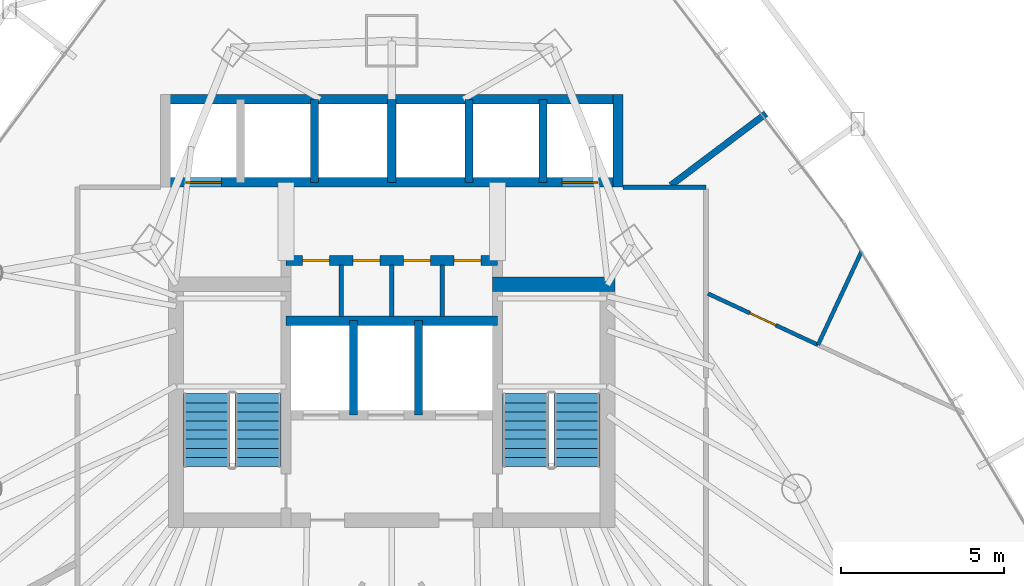
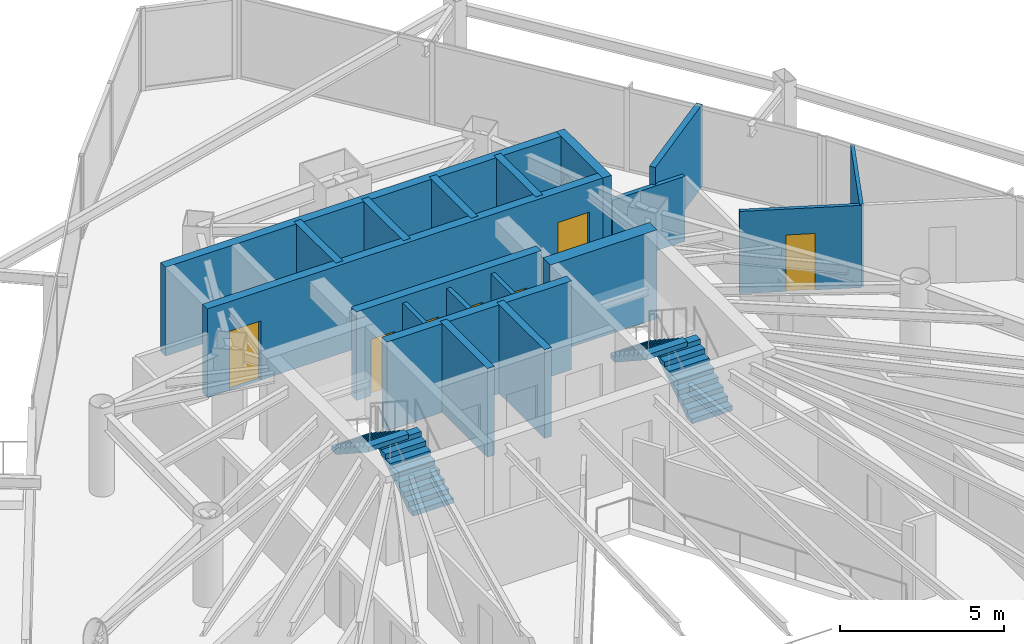
# One storey, part 34 of 38: 19 walls, 7 doors, 4 stair flights, 7 openings, 2 elements without a shape of their own.
"""IFC4 building model written with IfcOpenShell, lengths in metres."""

from ifc_helpers import new_model, si_unit, direction, frame, frame_2d, origin, place, context, subcontext, project, spatial, polyline, rectangle, outline, extrude, material, layer, layer_set, type_object, element, fill, aggregate, save


model = new_model("IFC4")

# Units and contexts
model_context = context("Model", 3, precision=1e-05, world=origin(), true_north=direction((0.0, 1.0)))
body_context = subcontext(model_context, "Body", "Model", "MODEL_VIEW")
ifc_project = project(units=[si_unit("LENGTHUNIT", "METRE"), si_unit("AREAUNIT", "SQUARE_METRE"), si_unit("VOLUMEUNIT", "CUBIC_METRE"), si_unit("PLANEANGLEUNIT", "RADIAN"), si_unit("MASSUNIT", "GRAM", prefix="KILO")], contexts=[model_context])

# Site, building, storey
site_placement = place(None, origin())
site = spatial("IfcSite", under=ifc_project, at=site_placement, CompositionType="ELEMENT")
building_placement = place(site_placement, origin())
building = spatial("IfcBuilding", under=site, at=building_placement, Name="Orvanel Arch Residences", CompositionType="ELEMENT")
storey_placement = place(building_placement, frame((0.0, 0.0, 46.699951171875)))
storey = spatial("IfcBuildingStorey", under=building, at=storey_placement, Name="L12", CompositionType="ELEMENT", Elevation=46.699951171875)

# Walls
ifc_material_1 = material(Name="Concrete N50 (50 MPa)", Category="concrete")
ifc_layer_1 = layer(ifc_material_1, 0.25)
ifc_layer_set_1 = layer_set([ifc_layer_1], Name="Concrete N50 (50 MPa)")
wall_type_1 = type_object("IfcWallType", Name="SW-CORE-250", PredefinedType="SHEAR", material=ifc_layer_set_1)
for number, where, z_axis, x_axis, name in (
    (1, (31.824951171875, 29.89990234375, 0.0), (0.0, 0.0, 1.0), (0.0, 1.0, 0.0), "L12 Emergency Lift Inter-Shaft Wall F12"),
    (2, (33.824951171875, 29.89990234375, 0.0), (0.0, 0.0, 1.0), (0.0, 1.0, 0.0), "L12 Emergency Lift Inter-Shaft Wall F2G"),
):
    element("IfcWall", number, at=place(storey_placement, frame(where, z_axis=z_axis, x_axis=x_axis)), inside=storey, type_object=wall_type_1, Name=name, PredefinedType="SHEAR", context=body_context, shape_type="SweptSolid", body=[
        extrude(rectangle(XDim=2.900146484375, YDim=0.25, at=frame_2d((1.4501953125, 0.0))), origin(), (0.0, 0.0, 1.0), 3.300048828125),
    ])
for number, where, z_axis, x_axis, name in (
    (3, (30.625, 37.050048828125, 0.0), (0.0, 0.0, 1.0), (0.0, 1.0, 0.0), "L12 Passenger Lift Inter-Shaft Wall P35"),
    (4, (33.0, 37.050048828125, 0.0), (0.0, 0.0, 1.0), (0.0, 1.0, 0.0), "L12 Passenger Lift Inter-Shaft Wall P56"),
    (5, (35.375, 37.050048828125, 0.0), (0.0, 0.0, 1.0), (0.0, 1.0, 0.0), "L12 Passenger Lift Inter-Shaft Wall P64"),
    (6, (37.64990234375, 37.050048828125, 0.0), (0.0, 0.0, 1.0), (0.0, 1.0, 0.0), "L12 Passenger Lift Inter-Shaft Wall P42"),
):
    element("IfcWall", number, at=place(storey_placement, frame(where, z_axis=z_axis, x_axis=x_axis)), inside=storey, type_object=wall_type_1, Name=name, PredefinedType="SHEAR", context=body_context, shape_type="SweptSolid", body=[
        extrude(rectangle(XDim=2.550048828125, YDim=0.25, at=frame_2d((1.27490234375, 0.0))), origin(), (0.0, 0.0, 1.0), 3.300048828125),
    ])
ifc_material_2 = material(Name="Concrete S80 (80 MPa)", Category="concrete")
ifc_layer_2 = layer(ifc_material_2, 0.300048828125)
ifc_layer_set_2 = layer_set([ifc_layer_2], Name="Concrete S80 (80 MPa)")
wall_type_2 = type_object("IfcWallType", Name="SW-CORE-300", PredefinedType="SHEAR", material=ifc_layer_set_2)
wall_1_placement = place(storey_placement, frame((29.75, 32.800048828125, 0.0), z_axis=(0.0, 0.0, 1.0), x_axis=(1.0, 0.0, 0.0)))
element("IfcWall", 7, at=wall_1_placement, inside=storey, type_object=wall_type_2, Name="L12 Emergency Lift Back Core Shear Wall", PredefinedType="SHEAR", context=body_context, shape_type="SweptSolid", body=[
    extrude(rectangle(XDim=6.5, YDim=0.300048828125, at=frame_2d((3.25, 0.0))), origin(), (0.0, 0.0, 1.0), 3.300048828125),
])

# Wall, openings, doors
wall_2_placement = place(storey_placement, frame((29.75, 34.64990234375, 0.0), z_axis=(0.0, 0.0, 1.0), x_axis=(1.0, 0.0, 0.0)))
wall_2 = element("IfcWall", 8, at=wall_2_placement, inside=storey, type_object=wall_type_2, Name="L12 Core Service Band North Shear Wall", PredefinedType="SHEAR", context=body_context, shape_type="SweptSolid", body=[
    extrude(rectangle(XDim=6.5, YDim=0.300048828125, at=frame_2d((3.25, 0.0))), origin(), (0.0, 0.0, 1.0), 3.300048828125),
])
opening_1_placement = place(wall_2_placement, frame((0.514892578125, 0.0, 0.0)))
opening_1 = element("IfcOpeningElement", 9, at=opening_1_placement, cuts=wall_2, Name="Opening DS-082", PredefinedType="OPENING", context=body_context, shape_type="SweptSolid", body=[
    extrude(rectangle(XDim=0.820068359375, YDim=2.10009765625, at=frame_2d((0.41015625, 1.050048828125))), frame((0.0, 0.159912109375, 0.0), z_axis=(0.0, -1.0, 0.0), x_axis=(1.0, 0.0, 0.0)), (0.0, 0.0, 1.0), 0.320068359375),
])
opening_2_placement = place(wall_2_placement, frame((2.06494140625, 0.0, 0.0)))
opening_2 = element("IfcOpeningElement", 10, at=opening_2_placement, cuts=wall_2, Name="Opening DS-082", PredefinedType="OPENING", context=body_context, shape_type="SweptSolid", body=[
    extrude(rectangle(XDim=0.820068359375, YDim=2.10009765625, at=frame_2d((0.41015625, 1.050048828125))), frame((0.0, 0.159912109375, 0.0), z_axis=(0.0, -1.0, 0.0), x_axis=(1.0, 0.0, 0.0)), (0.0, 0.0, 1.0), 0.320068359375),
])
opening_3_placement = place(wall_2_placement, frame((3.614990234375, 0.0, 0.0)))
opening_3 = element("IfcOpeningElement", 11, at=opening_3_placement, cuts=wall_2, Name="Opening DS-082", PredefinedType="OPENING", context=body_context, shape_type="SweptSolid", body=[
    extrude(rectangle(XDim=0.820068359375, YDim=2.10009765625, at=frame_2d((0.41015625, 1.050048828125))), frame((0.0, 0.159912109375, 0.0), z_axis=(0.0, -1.0, 0.0), x_axis=(1.0, 0.0, 0.0)), (0.0, 0.0, 1.0), 0.320068359375),
])
opening_4_placement = place(wall_2_placement, frame((5.1650390625, 0.0, 0.0)))
opening_4 = element("IfcOpeningElement", 12, at=opening_4_placement, cuts=wall_2, Name="Opening DS-082", PredefinedType="OPENING", context=body_context, shape_type="SweptSolid", body=[
    extrude(rectangle(XDim=0.820068359375, YDim=2.10009765625, at=frame_2d((0.41015625, 1.050048828125))), frame((0.0, 0.159912109375, 0.0), z_axis=(0.0, -1.0, 0.0), x_axis=(1.0, 0.0, 0.0)), (0.0, 0.0, 1.0), 0.320068359375),
])
ifc_material_3 = material(Name="Galvanised steel fire-resisting door assembly", Category="steel")
door_type_1 = type_object("IfcDoorType", Name="DR-SVC-820", OperationType="NOTDEFINED", PredefinedType="DOOR", material=ifc_material_3)
door_1_placement = place(opening_1_placement, origin())
door_1 = element("IfcDoor", 13, at=door_1_placement, inside=storey, type_object=door_type_1, Name="DR-L12-CSVC-1 L12 Linen Store Door", OperationType="SINGLE_SWING_LEFT", OverallHeight=2.10009765625, OverallWidth=0.820068359375, PredefinedType="DOOR", context=body_context, shape_type="SweptSolid", body=[
    extrude(rectangle(XDim=0.820068359375, YDim=2.10009765625, at=frame_2d((0.41015625, 1.050048828125))), frame((0.0, 0.02490234375, 0.0), z_axis=(0.0, -1.0, 0.0), x_axis=(1.0, 0.0, 0.0)), (0.0, 0.0, 1.0), 0.050048828125),
])
fill(opening_1, door_1)
door_2_placement = place(opening_2_placement, origin())
door_2 = element("IfcDoor", 14, at=door_2_placement, inside=storey, type_object=door_type_1, Name="DR-L12-CSVC-2 L12 Cleaner's Store Door", OperationType="SINGLE_SWING_LEFT", OverallHeight=2.10009765625, OverallWidth=0.820068359375, PredefinedType="DOOR", context=body_context, shape_type="SweptSolid", body=[
    extrude(rectangle(XDim=0.820068359375, YDim=2.10009765625, at=frame_2d((0.41015625, 1.050048828125))), frame((0.0, 0.02490234375, 0.0), z_axis=(0.0, -1.0, 0.0), x_axis=(1.0, 0.0, 0.0)), (0.0, 0.0, 1.0), 0.050048828125),
])
fill(opening_2, door_2)
door_3_placement = place(opening_3_placement, origin())
door_3 = element("IfcDoor", 15, at=door_3_placement, inside=storey, type_object=door_type_1, Name="DR-L12-CSVC-3 L12 Electrical Meter Store Door", OperationType="SINGLE_SWING_LEFT", OverallHeight=2.10009765625, OverallWidth=0.820068359375, PredefinedType="DOOR", context=body_context, shape_type="SweptSolid", body=[
    extrude(rectangle(XDim=0.820068359375, YDim=2.10009765625, at=frame_2d((0.41015625, 1.050048828125))), frame((0.0, 0.02490234375, 0.0), z_axis=(0.0, -1.0, 0.0), x_axis=(1.0, 0.0, 0.0)), (0.0, 0.0, 1.0), 0.050048828125),
])
fill(opening_3, door_3)
door_4_placement = place(opening_4_placement, origin())
door_4 = element("IfcDoor", 16, at=door_4_placement, inside=storey, type_object=door_type_1, Name="DR-L12-CSVC-4 L12 Housekeeping Supply Store Door", OperationType="SINGLE_SWING_LEFT", OverallHeight=2.10009765625, OverallWidth=0.820068359375, PredefinedType="DOOR", context=body_context, shape_type="SweptSolid", body=[
    extrude(rectangle(XDim=0.820068359375, YDim=2.10009765625, at=frame_2d((0.41015625, 1.050048828125))), frame((0.0, 0.02490234375, 0.0), z_axis=(0.0, -1.0, 0.0), x_axis=(1.0, 0.0, 0.0)), (0.0, 0.0, 1.0), 0.050048828125),
])
fill(opening_4, door_4)

wall_3_placement = place(storey_placement, frame((40.10009765625, 37.050048828125, 0.0), z_axis=(0.0, 0.0, 1.0), x_axis=(-1.0, 0.0, 0.0)))
wall_3 = element("IfcWall", 17, at=wall_3_placement, inside=storey, type_object=wall_type_2, Name="L12 Passenger Lift Bank Front Shear Wall", PredefinedType="SHEAR", context=body_context, shape_type="SweptSolid", body=[
    extrude(rectangle(XDim=14.2001953125, YDim=0.300048828125, at=frame_2d((7.10009765625, 0.0))), origin(), (0.0, 0.0, 1.0), 3.300048828125),
])
opening_5_placement = place(wall_3_placement, frame((12.324951171875, 0.0, 0.0)))
opening_5 = element("IfcOpeningElement", 18, at=opening_5_placement, cuts=wall_3, Name="Opening LD-110", PredefinedType="OPENING", context=body_context, shape_type="SweptSolid", body=[
    extrude(rectangle(XDim=1.10009765625, YDim=2.199951171875, at=frame_2d((0.550048828125, 1.10009765625))), frame((0.0, 0.159912109375, 0.0), z_axis=(0.0, -1.0, 0.0), x_axis=(1.0, 0.0, 0.0)), (0.0, 0.0, 1.0), 0.320068359375),
])
opening_6_placement = place(wall_3_placement, frame((0.77490234375, 0.0, 0.0)))
opening_6 = element("IfcOpeningElement", 19, at=opening_6_placement, cuts=wall_3, Name="Opening LD-110", PredefinedType="OPENING", context=body_context, shape_type="SweptSolid", body=[
    extrude(rectangle(XDim=1.10009765625, YDim=2.199951171875, at=frame_2d((0.550048828125, 1.10009765625))), frame((0.0, 0.159912109375, 0.0), z_axis=(0.0, -1.0, 0.0), x_axis=(1.0, 0.0, 0.0)), (0.0, 0.0, 1.0), 0.320068359375),
])
door_type_2 = type_object("IfcDoorType", Name="DR-LFT-1100", OperationType="NOTDEFINED", PredefinedType="DOOR", material=ifc_material_3)
door_5_placement = place(opening_5_placement, origin())
door_5 = element("IfcDoor", 20, at=door_5_placement, inside=storey, type_object=door_type_2, Name="LD-P1-L12 L12 Passenger Lift P1 Sliding Landing Door", OperationType="DOUBLE_DOOR_SLIDING", OverallHeight=2.199951171875, OverallWidth=1.10009765625, PredefinedType="DOOR", context=body_context, shape_type="SweptSolid", body=[
    extrude(rectangle(XDim=1.10009765625, YDim=2.199951171875, at=frame_2d((0.550048828125, 1.10009765625))), frame((0.0, 0.02490234375, 0.0), z_axis=(0.0, -1.0, 0.0), x_axis=(1.0, 0.0, 0.0)), (0.0, 0.0, 1.0), 0.050048828125),
])
fill(opening_5, door_5)
door_6_placement = place(opening_6_placement, origin())
door_6 = element("IfcDoor", 21, at=door_6_placement, inside=storey, type_object=door_type_2, Name="LD-P2-L12 L12 Passenger Lift P2 Sliding Landing Door", OperationType="DOUBLE_DOOR_SLIDING", OverallHeight=2.199951171875, OverallWidth=1.10009765625, PredefinedType="DOOR", context=body_context, shape_type="SweptSolid", body=[
    extrude(rectangle(XDim=1.10009765625, YDim=2.199951171875, at=frame_2d((0.550048828125, 1.10009765625))), frame((0.0, 0.02490234375, 0.0), z_axis=(0.0, -1.0, 0.0), x_axis=(1.0, 0.0, 0.0)), (0.0, 0.0, 1.0), 0.050048828125),
])
fill(opening_6, door_6)

# Walls
wall_4_placement = place(storey_placement, frame((25.89990234375, 39.60009765625, 0.0), z_axis=(0.0, 0.0, 1.0), x_axis=(1.0, 0.0, 0.0)))
element("IfcWall", 22, at=wall_4_placement, inside=storey, type_object=wall_type_2, Name="L12 Passenger Lift Bank North Shear Wall", PredefinedType="SHEAR", context=body_context, shape_type="SweptSolid", body=[
    extrude(rectangle(XDim=14.2001953125, YDim=0.300048828125, at=frame_2d((7.10009765625, 0.0))), origin(), (0.0, 0.0, 1.0), 3.300048828125),
])
wall_5_placement = place(storey_placement, frame((39.949951171875, 36.89990234375, 0.0), z_axis=(0.0, 0.0, 1.0), x_axis=(0.0, 1.0, 0.0)))
element("IfcWall", 23, at=wall_5_placement, inside=storey, type_object=wall_type_2, Name="L12 Passenger Lift Bank East Shear Wall", PredefinedType="SHEAR", context=body_context, shape_type="SweptSolid", body=[
    extrude(rectangle(XDim=2.85009765625, YDim=0.300048828125, at=frame_2d((1.425048828125, 0.0))), origin(), (0.0, 0.0, 1.0), 3.300048828125),
])
ifc_layer_3 = layer(ifc_material_2, 0.449951171875)
ifc_layer_set_3 = layer_set([ifc_layer_3], Name="Concrete S80 (80 MPa)")
wall_type_3 = type_object("IfcWallType", Name="SW-CORE-450", PredefinedType="SHEAR", material=ifc_layer_set_3)
wall_6_placement = place(storey_placement, frame((36.10009765625, 33.925048828125, 0.0), z_axis=(0.0, 0.0, 1.0), x_axis=(1.0, 0.0, 0.0)))
element("IfcWall", 24, at=wall_6_placement, inside=storey, type_object=wall_type_3, Name="L12 East Stair North Shear Wall", PredefinedType="SHEAR", context=body_context, shape_type="SweptSolid", body=[
    extrude(rectangle(XDim=3.75, YDim=0.449951171875, at=frame_2d((1.875, 0.0))), origin(), (0.0, 0.0, 1.0), 3.300048828125),
])
ifc_material_4 = material(Name="Fire-rated plasterboard lined steel stud partition", Category="steel")
ifc_layer_4 = layer(ifc_material_4, 0.14990234375)
ifc_layer_set_4 = layer_set([ifc_layer_4], Name="Fire-rated plasterboard lined steel stud partition")
wall_type_4 = type_object("IfcWallType", Name="W-COR-150", PredefinedType="PARTITIONING", material=ifc_layer_set_4)
wall_7_placement = place(storey_placement, frame((40.10009765625, 36.89990234375, 0.0), z_axis=(0.0, 0.0, 1.0), x_axis=(1.0, 0.0, 0.0)))
element("IfcWall", 25, at=wall_7_placement, inside=storey, type_object=wall_type_4, Name="L12 Corridor Fire-Rated Partition", PredefinedType="PARTITIONING", context=body_context, shape_type="SweptSolid", body=[
    extrude(rectangle(XDim=2.5498046875, YDim=0.14990234375, at=frame_2d((1.27490234375, 0.0))), origin(), (0.0, 0.0, 1.0), 2.4130859375),
])
ifc_layer_5 = layer(ifc_material_4, 0.199951171875)
ifc_layer_set_5 = layer_set([ifc_layer_5], Name="Fire-rated plasterboard lined steel stud partition")
wall_type_5 = type_object("IfcWallType", Name="W-DEM-200", PredefinedType="PARTITIONING", material=ifc_layer_set_5)
wall_8_placement = place(storey_placement, frame((44.489013671875, 39.156982421875, 0.0), z_axis=(0.0, 0.0, 1.0), x_axis=(-0.798682095895, -0.601753196665, 0.0)))
element("IfcWall", 26, at=wall_8_placement, inside=storey, type_object=wall_type_5, Name="L12 Inter-Tenancy Acoustic Demising Wall", PredefinedType="PARTITIONING", context=body_context, shape_type="SweptSolid", body=[
    extrude(rectangle(XDim=3.651123046875, YDim=0.199951171875, at=frame_2d((1.82568359375, 0.0))), origin(), (0.0, 0.0, 1.0), 3.06005859375),
])
ifc_layer_6 = layer(ifc_material_4, 0.14990234375)
ifc_layer_set_6 = layer_set([ifc_layer_6], Name="Fire-rated plasterboard lined steel stud partition")
wall_type_6 = type_object("IfcWallType", Name="W-ST-150", PredefinedType="PARTITIONING", material=ifc_layer_set_6)
for number, where, z_axis, x_axis, name in (
    (27, (31.449951171875, 32.93505859375, 0.0), (0.0, 0.0, 1.0), (0.0, 1.0, 0.0), "L12 Core Service Partition 1"),
    (28, (33.0, 32.93505859375, 0.0), (0.0, 0.0, 1.0), (0.0, 1.0, 0.0), "L12 Core Service Partition 2"),
    (29, (34.550048828125, 32.93505859375, 0.0), (0.0, 0.0, 1.0), (0.0, 1.0, 0.0), "L12 Core Service Partition 3"),
):
    element("IfcWall", number, at=place(storey_placement, frame(where, z_axis=z_axis, x_axis=x_axis)), inside=storey, type_object=wall_type_6, Name=name, PredefinedType="PARTITIONING", context=body_context, shape_type="SweptSolid", body=[
        extrude(rectangle(XDim=1.579833984375, YDim=0.14990234375, at=frame_2d((0.7900390625, 0.0))), origin(), (0.0, 0.0, 1.0), 3.06005859375),
    ])

# Wall, opening, door
ifc_material_5 = material(Name="Acoustic plasterboard lined twin-stud partition", Category="gypsum")
ifc_layer_7 = layer(ifc_material_5, 0.1201171875)
ifc_layer_set_7 = layer_set([ifc_layer_7], Name="Acoustic plasterboard lined twin-stud partition")
wall_type_7 = type_object("IfcWallType", Name="W-WET-120", PredefinedType="PARTITIONING", material=ifc_layer_set_7)
wall_9_placement = place(storey_placement, frame((42.7099609375, 33.634033203125, 0.0), z_axis=(0.0, 0.0, 1.0), x_axis=(0.906380338854, -0.422462638985, 0.0)))
wall_9 = element("IfcWall", 30, at=wall_9_placement, inside=storey, type_object=wall_type_7, Name="L12 Studio D Internal Partition", PredefinedType="PARTITIONING", context=body_context, shape_type="SweptSolid", body=[
    extrude(rectangle(XDim=3.730224609375, YDim=0.1201171875, at=frame_2d((1.865234375, 0.0))), origin(), (0.0, 0.0, 1.0), 3.06005859375),
])
opening_7_placement = place(wall_9_placement, frame((1.425048828125, 0.0, 0.0)))
opening_7 = element("IfcOpeningElement", 31, at=opening_7_placement, cuts=wall_9, Name="Opening DI-088", PredefinedType="OPENING", context=body_context, shape_type="SweptSolid", body=[
    extrude(rectangle(XDim=0.8798828125, YDim=2.10009765625, at=frame_2d((0.43994140625, 1.050048828125))), frame((0.0, 0.070068359375, 0.0), z_axis=(0.0, -1.0, 0.0), x_axis=(1.0, 0.0, 0.0)), (0.0, 0.0, 1.0), 0.14013671875),
])
ifc_material_6 = material(Name="Solid-core European oak veneer fire door leaf", Category="wood")
door_type_3 = type_object("IfcDoorType", Name="DR-INT-880", OperationType="NOTDEFINED", PredefinedType="DOOR", material=ifc_material_6)
door_7_placement = place(opening_7_placement, origin())
door_7 = element("IfcDoor", 32, at=door_7_placement, inside=storey, type_object=door_type_3, Name="DR-L12-D-KIT L12 Studio D Kitchenette Door", OperationType="SINGLE_SWING_LEFT", OverallHeight=2.10009765625, OverallWidth=0.8798828125, PredefinedType="DOOR", context=body_context, shape_type="SweptSolid", body=[
    extrude(rectangle(XDim=0.8798828125, YDim=2.10009765625, at=frame_2d((0.43994140625, 1.050048828125))), frame((0.0, 0.02490234375, 0.0), z_axis=(0.0, -1.0, 0.0), x_axis=(1.0, 0.0, 0.0)), (0.0, 0.0, 1.0), 0.050048828125),
])
fill(opening_7, door_7)

# Wall
wall_10_placement = place(storey_placement, frame((46.091064453125, 32.05810546875, 0.0), z_axis=(0.0, 0.0, 1.0), x_axis=(0.422430644664, 0.906395250677, 0.0)))
element("IfcWall", 33, at=wall_10_placement, inside=storey, type_object=wall_type_7, Name="L12 Studio D Bathroom Partition", PredefinedType="PARTITIONING", context=body_context, shape_type="SweptSolid", body=[
    extrude(rectangle(XDim=3.174072265625, YDim=0.1201171875, at=frame_2d((1.5869140625, 0.0))), origin(), (0.0, 0.0, 1.0), 3.06005859375),
])

# Stair, stair flights
ifc_material_7 = material(Name="Precast concrete N50 (50 MPa)", Category="concrete")
stair_type = type_object("IfcStairType", Name="STR-DOG-184", PredefinedType="USERDEFINED", material=ifc_material_7)
stair_1_placement = place(storey_placement, origin())
stair_1 = element("IfcStair", 34, at=stair_1_placement, inside=storey, type_object=stair_type, Name="L12 Fire-Isolated Core Exit Stair 1", ObjectType="TWO_RETURN_STAIR", PredefinedType="USERDEFINED")
stair_flight_type_1 = type_object("IfcStairFlightType", Name="SFL-C1-184", PredefinedType="STRAIGHT", material=ifc_material_7)
stair_flight_1_placement = place(storey_placement, frame((28.889892578125, 28.320068359375, 0.0), z_axis=(0.0, 0.0, 1.0), x_axis=(0.0, 1.0, 0.0)))
stair_flight_1 = element("IfcStairFlight", 35, at=stair_flight_1_placement, type_object=stair_flight_type_1, Name="ST-1 flight 1", NumberOfRisers=9, NumberOfTreads=8, PredefinedType="STRAIGHT", RiserHeight=0.183333333, TreadLength=0.28, context=body_context, shape_type="SweptSolid", body=[
    extrude(outline(polyline([(0.0, 0.0), (0.0, 0.183349609375), (0.280029296875, 0.183349609375), (0.280029296875, 0.36669921875), (0.56005859375, 0.36669921875), (0.56005859375, 0.550048828125), (0.840087890625, 0.550048828125), (0.840087890625, 0.7333984375), (1.1201171875, 0.7333984375), (1.1201171875, 0.916748046875), (1.39990234375, 0.916748046875), (1.39990234375, 1.10009765625), (1.679931640625, 1.10009765625), (1.679931640625, 1.283447265625), (1.9599609375, 1.283447265625), (1.9599609375, 1.466552734375), (2.239990234375, 1.466552734375), (2.239990234375, 1.64990234375), (2.239990234375, 1.28759765625), (0.273681640625, 0.0), (0.0, 0.0)])), frame((0.0, 0.7099609375, 0.0), z_axis=(0.0, -1.0, 0.0), x_axis=(1.0, 0.0, 0.0)), (0.0, 0.0, 1.0), 1.419921875),
])
stair_flight_2_placement = place(storey_placement, frame((27.31005859375, 30.56005859375, 1.650146484375), z_axis=(0.0, 0.0, 1.0), x_axis=(0.0, -1.0, 0.0)))
stair_flight_2 = element("IfcStairFlight", 36, at=stair_flight_2_placement, type_object=stair_flight_type_1, Name="ST-1 flight 2", NumberOfRisers=9, NumberOfTreads=8, PredefinedType="STRAIGHT", RiserHeight=0.183333333, TreadLength=0.28, context=body_context, shape_type="SweptSolid", body=[
    extrude(outline(polyline([(0.0, 0.0), (0.0, 0.183349609375), (0.280029296875, 0.183349609375), (0.280029296875, 0.36669921875), (0.56005859375, 0.36669921875), (0.56005859375, 0.550048828125), (0.840087890625, 0.550048828125), (0.840087890625, 0.7333984375), (1.1201171875, 0.7333984375), (1.1201171875, 0.916748046875), (1.39990234375, 0.916748046875), (1.39990234375, 1.10009765625), (1.679931640625, 1.10009765625), (1.679931640625, 1.283447265625), (1.9599609375, 1.283447265625), (1.9599609375, 1.466552734375), (2.239990234375, 1.466552734375), (2.239990234375, 1.64990234375), (2.239990234375, 1.28759765625), (0.273681640625, 0.0), (0.0, 0.0)])), frame((0.0, 0.7099609375, 0.0), z_axis=(0.0, -1.0, 0.0), x_axis=(1.0, 0.0, 0.0)), (0.0, 0.0, 1.0), 1.419921875),
])
aggregate(stair_1, [stair_flight_1, stair_flight_2])

stair_2_placement = place(storey_placement, origin())
stair_2 = element("IfcStair", 37, at=stair_2_placement, inside=storey, type_object=stair_type, Name="L12 Fire-Isolated Core Exit Stair 2", ObjectType="TWO_RETURN_STAIR", PredefinedType="USERDEFINED")
stair_flight_type_2 = type_object("IfcStairFlightType", Name="SFL-C2-184", PredefinedType="STRAIGHT", material=ifc_material_7)
stair_flight_3_placement = place(storey_placement, frame((38.68994140625, 28.320068359375, 0.0), z_axis=(0.0, 0.0, 1.0), x_axis=(0.0, 1.0, 0.0)))
stair_flight_3 = element("IfcStairFlight", 38, at=stair_flight_3_placement, type_object=stair_flight_type_2, Name="ST-2 flight 1", NumberOfRisers=9, NumberOfTreads=8, PredefinedType="STRAIGHT", RiserHeight=0.183333333, TreadLength=0.28, context=body_context, shape_type="SweptSolid", body=[
    extrude(outline(polyline([(0.0, 0.0), (0.0, 0.183349609375), (0.280029296875, 0.183349609375), (0.280029296875, 0.36669921875), (0.56005859375, 0.36669921875), (0.56005859375, 0.550048828125), (0.840087890625, 0.550048828125), (0.840087890625, 0.7333984375), (1.1201171875, 0.7333984375), (1.1201171875, 0.916748046875), (1.39990234375, 0.916748046875), (1.39990234375, 1.10009765625), (1.679931640625, 1.10009765625), (1.679931640625, 1.283447265625), (1.9599609375, 1.283447265625), (1.9599609375, 1.466552734375), (2.239990234375, 1.466552734375), (2.239990234375, 1.64990234375), (2.239990234375, 1.28759765625), (0.273681640625, 0.0), (0.0, 0.0)])), frame((0.0, 0.7099609375, 0.0), z_axis=(0.0, -1.0, 0.0), x_axis=(1.0, 0.0, 0.0)), (0.0, 0.0, 1.0), 1.419921875),
])
stair_flight_4_placement = place(storey_placement, frame((37.110107421875, 30.56005859375, 1.650146484375), z_axis=(0.0, 0.0, 1.0), x_axis=(0.0, -1.0, 0.0)))
stair_flight_4 = element("IfcStairFlight", 39, at=stair_flight_4_placement, type_object=stair_flight_type_2, Name="ST-2 flight 2", NumberOfRisers=9, NumberOfTreads=8, PredefinedType="STRAIGHT", RiserHeight=0.183333333, TreadLength=0.28, context=body_context, shape_type="SweptSolid", body=[
    extrude(outline(polyline([(0.0, 0.0), (0.0, 0.183349609375), (0.280029296875, 0.183349609375), (0.280029296875, 0.36669921875), (0.56005859375, 0.36669921875), (0.56005859375, 0.550048828125), (0.840087890625, 0.550048828125), (0.840087890625, 0.7333984375), (1.1201171875, 0.7333984375), (1.1201171875, 0.916748046875), (1.39990234375, 0.916748046875), (1.39990234375, 1.10009765625), (1.679931640625, 1.10009765625), (1.679931640625, 1.283447265625), (1.9599609375, 1.283447265625), (1.9599609375, 1.466552734375), (2.239990234375, 1.466552734375), (2.239990234375, 1.64990234375), (2.239990234375, 1.28759765625), (0.273681640625, 0.0), (0.0, 0.0)])), frame((0.0, 0.7099609375, 0.0), z_axis=(0.0, -1.0, 0.0), x_axis=(1.0, 0.0, 0.0)), (0.0, 0.0, 1.0), 1.419921875),
])
aggregate(stair_2, [stair_flight_3, stair_flight_4])

save(model, "model.ifc")
